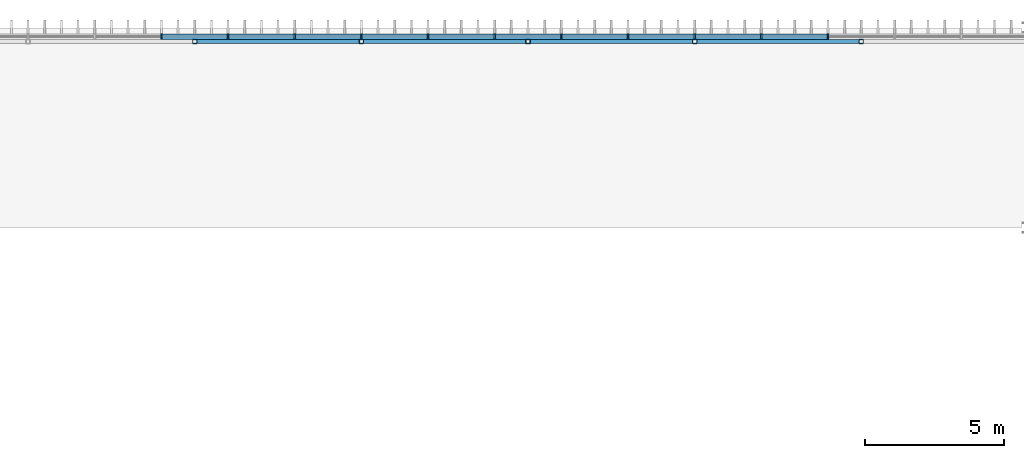
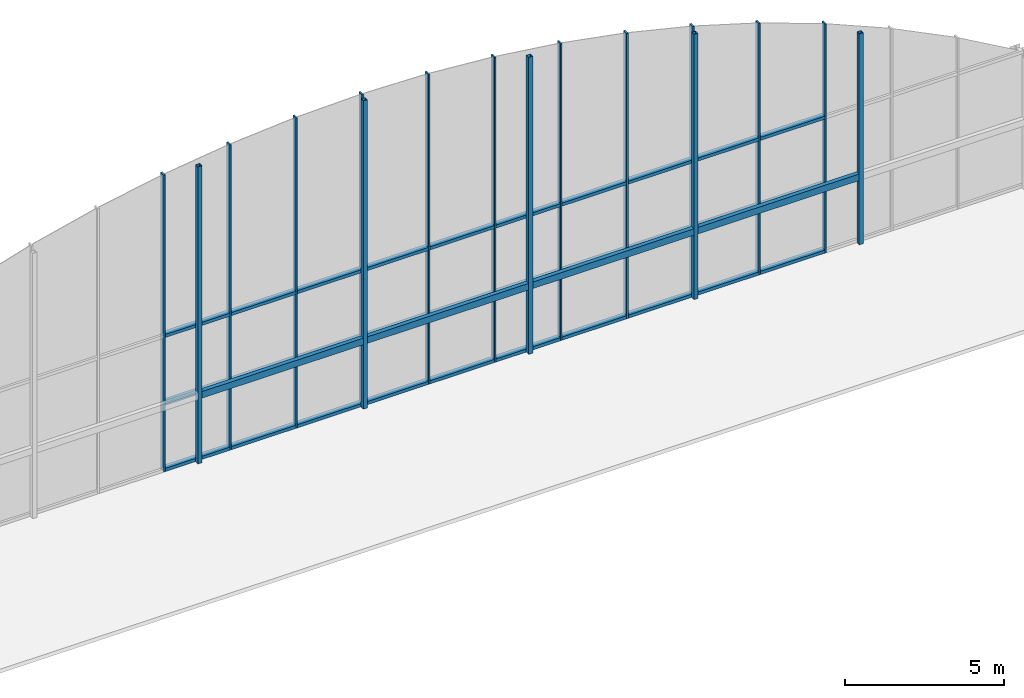
# One storey, part 37 of 93: 46 members, 4 beams, 1 element without a shape of its own.
"""IFC4 building model written with IfcOpenShell, lengths in metres."""

from ifc_helpers import new_model, si_unit, direction, frame, origin, origin_2d, place, context, subcontext, project, spatial, rectangle, hollow_rectangle, extrude, material, layer, layer_set, material_profile, profile_set, type_object, element, aggregate, save


model = new_model("IFC4")

# Units and contexts
model_context = context("Model", 3, precision=1e-05, world=origin(), true_north=direction((0.0, 1.0)))
body_context = subcontext(model_context, "Body", "Model", "MODEL_VIEW")
ifc_project = project(units=[si_unit("LENGTHUNIT", "METRE"), si_unit("AREAUNIT", "SQUARE_METRE"), si_unit("VOLUMEUNIT", "CUBIC_METRE"), si_unit("PLANEANGLEUNIT", "RADIAN"), si_unit("MASSUNIT", "GRAM", prefix="KILO")], contexts=[model_context])

# Site, building, storey
site_placement = place(None, origin())
site = spatial("IfcSite", under=ifc_project, at=site_placement, CompositionType="ELEMENT")
building_placement = place(site_placement, origin())
building = spatial("IfcBuilding", under=site, at=building_placement, Name="Verrick Yard Athletic Hall", CompositionType="ELEMENT")
storey_placement = place(building_placement, frame((0.0, 0.0, 8.800048828125)))
storey = spatial("IfcBuildingStorey", under=building, at=storey_placement, Name="L02", CompositionType="ELEMENT", Elevation=8.800048828125)

# Curtain wall, members
ifc_material_1 = material(Name="Anodised aluminium", Category="aluminium")
ifc_layer = layer(ifc_material_1, 0.199951171875)
ifc_layer_set = layer_set([ifc_layer], Name="Gable glazing")
curtain_wall_type = type_object("IfcCurtainWallType", Name="Gable glazing", PredefinedType="NOTDEFINED", material=ifc_layer_set)
curtain_wall_placement = place(storey_placement, origin())
curtain_wall = element("IfcCurtainWall", 1, at=curtain_wall_placement, inside=storey, type_object=curtain_wall_type, Name="Gable curtain wall AN", PredefinedType="NOTDEFINED")
ifc_material_profile_1 = material_profile(ifc_material_1, rectangle(XDim=0.199951171875, YDim=0.06005859375, at=origin_2d()), Name="CW gable mullion 60x200")
ifc_profile_set_1 = profile_set([ifc_material_profile_1], Name="Anodised aluminium")
member_type_1 = type_object("IfcMemberType", Name="Gable glazing mullion 60x200", PredefinedType="MULLION", material=ifc_profile_set_1)
member_1_placement = place(storey_placement, frame((138.39990234375, 107.681640625, 0.0), z_axis=(0.0, 0.0, 1.0), x_axis=(0.0, 1.0, 0.0)))
member_1 = element("IfcMember", 2, at=member_1_placement, type_object=member_type_1, Name="ENVB-HAN-CW/M07", PredefinedType="MULLION", context=body_context, shape_type="SweptSolid", body=[
    extrude(rectangle(XDim=0.199951171875, YDim=0.06005859375, at=origin_2d()), origin(), (0.0, 0.0, 1.0), 11.39013671875),
])
member_2_placement = place(storey_placement, frame((140.800048828125, 107.681640625, 0.0), z_axis=(0.0, 0.0, 1.0), x_axis=(0.0, 1.0, 0.0)))
member_2 = element("IfcMember", 3, at=member_2_placement, type_object=member_type_1, Name="ENVB-HAN-CW/M08", PredefinedType="MULLION", context=body_context, shape_type="SweptSolid", body=[
    extrude(rectangle(XDim=0.199951171875, YDim=0.06005859375, at=origin_2d()), origin(), (0.0, 0.0, 1.0), 11.7060546875),
])
member_3_placement = place(storey_placement, frame((143.199951171875, 107.681640625, 0.0), z_axis=(0.0, 0.0, 1.0), x_axis=(0.0, 1.0, 0.0)))
member_3 = element("IfcMember", 4, at=member_3_placement, type_object=member_type_1, Name="ENVB-HAN-CW/M09", PredefinedType="MULLION", context=body_context, shape_type="SweptSolid", body=[
    extrude(rectangle(XDim=0.199951171875, YDim=0.06005859375, at=origin_2d()), origin(), (0.0, 0.0, 1.0), 11.89453125),
])
member_4_placement = place(storey_placement, frame((145.60009765625, 107.681640625, 0.0), z_axis=(0.0, 0.0, 1.0), x_axis=(0.0, 1.0, 0.0)))
member_4 = element("IfcMember", 5, at=member_4_placement, type_object=member_type_1, Name="ENVB-HAN-CW/M10", PredefinedType="MULLION", context=body_context, shape_type="SweptSolid", body=[
    extrude(rectangle(XDim=0.199951171875, YDim=0.06005859375, at=origin_2d()), origin(), (0.0, 0.0, 1.0), 11.95703125),
])
member_5_placement = place(storey_placement, frame((148.0, 107.681640625, 0.0), z_axis=(0.0, 0.0, 1.0), x_axis=(0.0, 1.0, 0.0)))
member_5 = element("IfcMember", 6, at=member_5_placement, type_object=member_type_1, Name="ENVB-HAN-CW/M11", PredefinedType="MULLION", context=body_context, shape_type="SweptSolid", body=[
    extrude(rectangle(XDim=0.199951171875, YDim=0.06005859375, at=origin_2d()), origin(), (0.0, 0.0, 1.0), 11.89453125),
])
member_6_placement = place(storey_placement, frame((150.39990234375, 107.681640625, 0.0), z_axis=(0.0, 0.0, 1.0), x_axis=(0.0, 1.0, 0.0)))
member_6 = element("IfcMember", 7, at=member_6_placement, type_object=member_type_1, Name="ENVB-HAN-CW/M12", PredefinedType="MULLION", context=body_context, shape_type="SweptSolid", body=[
    extrude(rectangle(XDim=0.199951171875, YDim=0.06005859375, at=origin_2d()), origin(), (0.0, 0.0, 1.0), 11.7060546875),
])
member_7_placement = place(storey_placement, frame((152.800048828125, 107.681640625, 0.0), z_axis=(0.0, 0.0, 1.0), x_axis=(0.0, 1.0, 0.0)))
member_7 = element("IfcMember", 8, at=member_7_placement, type_object=member_type_1, Name="ENVB-HAN-CW/M13", PredefinedType="MULLION", context=body_context, shape_type="SweptSolid", body=[
    extrude(rectangle(XDim=0.199951171875, YDim=0.06005859375, at=origin_2d()), origin(), (0.0, 0.0, 1.0), 11.39013671875),
])
member_8_placement = place(storey_placement, frame((155.199951171875, 107.681640625, 0.0), z_axis=(0.0, 0.0, 1.0), x_axis=(0.0, 1.0, 0.0)))
member_8 = element("IfcMember", 9, at=member_8_placement, type_object=member_type_1, Name="ENVB-HAN-CW/M14", PredefinedType="MULLION", context=body_context, shape_type="SweptSolid", body=[
    extrude(rectangle(XDim=0.199951171875, YDim=0.06005859375, at=origin_2d()), origin(), (0.0, 0.0, 1.0), 10.9443359375),
])
member_9_placement = place(storey_placement, frame((157.60009765625, 107.681640625, 0.0), z_axis=(0.0, 0.0, 1.0), x_axis=(0.0, 1.0, 0.0)))
member_9 = element("IfcMember", 10, at=member_9_placement, type_object=member_type_1, Name="ENVB-HAN-CW/M15", PredefinedType="MULLION", context=body_context, shape_type="SweptSolid", body=[
    extrude(rectangle(XDim=0.199951171875, YDim=0.06005859375, at=origin_2d()), origin(), (0.0, 0.0, 1.0), 10.3642578125),
])
member_10_placement = place(storey_placement, frame((160.0, 107.681640625, 0.0), z_axis=(0.0, 0.0, 1.0), x_axis=(0.0, 1.0, 0.0)))
member_10 = element("IfcMember", 11, at=member_10_placement, type_object=member_type_1, Name="ENVB-HAN-CW/M16", PredefinedType="MULLION", context=body_context, shape_type="SweptSolid", body=[
    extrude(rectangle(XDim=0.199951171875, YDim=0.06005859375, at=origin_2d()), origin(), (0.0, 0.0, 1.0), 9.64501953125),
])
member_11_placement = place(storey_placement, frame((162.39990234375, 107.681640625, 0.0), z_axis=(0.0, 0.0, 1.0), x_axis=(0.0, 1.0, 0.0)))
member_11 = element("IfcMember", 12, at=member_11_placement, type_object=member_type_1, Name="ENVB-HAN-CW/M17", PredefinedType="MULLION", context=body_context, shape_type="SweptSolid", body=[
    extrude(rectangle(XDim=0.199951171875, YDim=0.06005859375, at=origin_2d()), origin(), (0.0, 0.0, 1.0), 8.779541015625),
])
ifc_material_profile_2 = material_profile(ifc_material_1, rectangle(XDim=0.199951171875, YDim=0.1201171875, at=origin_2d()), Name="CW gable transom 200x120")
ifc_profile_set_2 = profile_set([ifc_material_profile_2], Name="Anodised aluminium")
member_type_2 = type_object("IfcMemberType", Name="Gable glazing transom 200x120", PredefinedType="USERDEFINED", material=ifc_profile_set_2)
member_12_placement = place(storey_placement, frame((138.429931640625, 107.681640625, 0.06005859375), z_axis=(1.0, 0.0, 0.0), x_axis=(0.0, 1.0, 0.0)))
member_12 = element("IfcMember", 13, at=member_12_placement, type_object=member_type_2, Name="ENVB-HAN-CW/T07-00", ObjectType="TRANSOM", PredefinedType="USERDEFINED", context=body_context, shape_type="SweptSolid", body=[
    extrude(rectangle(XDim=0.199951171875, YDim=0.1201171875, at=origin_2d()), origin(), (0.0, 0.0, 1.0), 2.340087890625),
])
member_13_placement = place(storey_placement, frame((138.429931640625, 107.681640625, 2.599853515625), z_axis=(1.0, 0.0, 0.0), x_axis=(0.0, 1.0, 0.0)))
member_13 = element("IfcMember", 14, at=member_13_placement, type_object=member_type_2, Name="ENVB-HAN-CW/T07-01", ObjectType="TRANSOM", PredefinedType="USERDEFINED", context=body_context, shape_type="SweptSolid", body=[
    extrude(rectangle(XDim=0.199951171875, YDim=0.1201171875, at=origin_2d()), origin(), (0.0, 0.0, 1.0), 2.340087890625),
])
member_14_placement = place(storey_placement, frame((138.429931640625, 107.681640625, 5.199951171875), z_axis=(1.0, 0.0, 0.0), x_axis=(0.0, 1.0, 0.0)))
member_14 = element("IfcMember", 15, at=member_14_placement, type_object=member_type_2, Name="ENVB-HAN-CW/T07-02", ObjectType="TRANSOM", PredefinedType="USERDEFINED", context=body_context, shape_type="SweptSolid", body=[
    extrude(rectangle(XDim=0.199951171875, YDim=0.1201171875, at=origin_2d()), origin(), (0.0, 0.0, 1.0), 2.340087890625),
])
member_15_placement = place(storey_placement, frame((140.830078125, 107.681640625, 0.06005859375), z_axis=(1.0, 0.0, 0.0), x_axis=(0.0, 1.0, 0.0)))
member_15 = element("IfcMember", 16, at=member_15_placement, type_object=member_type_2, Name="ENVB-HAN-CW/T08-00", ObjectType="TRANSOM", PredefinedType="USERDEFINED", context=body_context, shape_type="SweptSolid", body=[
    extrude(rectangle(XDim=0.199951171875, YDim=0.1201171875, at=origin_2d()), origin(), (0.0, 0.0, 1.0), 2.33984375),
])
member_16_placement = place(storey_placement, frame((140.830078125, 107.681640625, 2.599853515625), z_axis=(1.0, 0.0, 0.0), x_axis=(0.0, 1.0, 0.0)))
member_16 = element("IfcMember", 17, at=member_16_placement, type_object=member_type_2, Name="ENVB-HAN-CW/T08-01", ObjectType="TRANSOM", PredefinedType="USERDEFINED", context=body_context, shape_type="SweptSolid", body=[
    extrude(rectangle(XDim=0.199951171875, YDim=0.1201171875, at=origin_2d()), origin(), (0.0, 0.0, 1.0), 2.33984375),
])
member_17_placement = place(storey_placement, frame((140.830078125, 107.681640625, 5.199951171875), z_axis=(1.0, 0.0, 0.0), x_axis=(0.0, 1.0, 0.0)))
member_17 = element("IfcMember", 18, at=member_17_placement, type_object=member_type_2, Name="ENVB-HAN-CW/T08-02", ObjectType="TRANSOM", PredefinedType="USERDEFINED", context=body_context, shape_type="SweptSolid", body=[
    extrude(rectangle(XDim=0.199951171875, YDim=0.1201171875, at=origin_2d()), origin(), (0.0, 0.0, 1.0), 2.33984375),
])
member_18_placement = place(storey_placement, frame((143.22998046875, 107.681640625, 0.06005859375), z_axis=(1.0, 0.0, 0.0), x_axis=(0.0, 1.0, 0.0)))
member_18 = element("IfcMember", 19, at=member_18_placement, type_object=member_type_2, Name="ENVB-HAN-CW/T09-00", ObjectType="TRANSOM", PredefinedType="USERDEFINED", context=body_context, shape_type="SweptSolid", body=[
    extrude(rectangle(XDim=0.199951171875, YDim=0.1201171875, at=origin_2d()), origin(), (0.0, 0.0, 1.0), 2.340087890625),
])
member_19_placement = place(storey_placement, frame((143.22998046875, 107.681640625, 2.599853515625), z_axis=(1.0, 0.0, 0.0), x_axis=(0.0, 1.0, 0.0)))
member_19 = element("IfcMember", 20, at=member_19_placement, type_object=member_type_2, Name="ENVB-HAN-CW/T09-01", ObjectType="TRANSOM", PredefinedType="USERDEFINED", context=body_context, shape_type="SweptSolid", body=[
    extrude(rectangle(XDim=0.199951171875, YDim=0.1201171875, at=origin_2d()), origin(), (0.0, 0.0, 1.0), 2.340087890625),
])
member_20_placement = place(storey_placement, frame((143.22998046875, 107.681640625, 5.199951171875), z_axis=(1.0, 0.0, 0.0), x_axis=(0.0, 1.0, 0.0)))
member_20 = element("IfcMember", 21, at=member_20_placement, type_object=member_type_2, Name="ENVB-HAN-CW/T09-02", ObjectType="TRANSOM", PredefinedType="USERDEFINED", context=body_context, shape_type="SweptSolid", body=[
    extrude(rectangle(XDim=0.199951171875, YDim=0.1201171875, at=origin_2d()), origin(), (0.0, 0.0, 1.0), 2.340087890625),
])
member_21_placement = place(storey_placement, frame((145.6298828125, 107.681640625, 0.06005859375), z_axis=(1.0, 0.0, 0.0), x_axis=(0.0, 1.0, 0.0)))
member_21 = element("IfcMember", 22, at=member_21_placement, type_object=member_type_2, Name="ENVB-HAN-CW/T10-00", ObjectType="TRANSOM", PredefinedType="USERDEFINED", context=body_context, shape_type="SweptSolid", body=[
    extrude(rectangle(XDim=0.199951171875, YDim=0.1201171875, at=origin_2d()), origin(), (0.0, 0.0, 1.0), 2.340087890625),
])
member_22_placement = place(storey_placement, frame((145.6298828125, 107.681640625, 2.599853515625), z_axis=(1.0, 0.0, 0.0), x_axis=(0.0, 1.0, 0.0)))
member_22 = element("IfcMember", 23, at=member_22_placement, type_object=member_type_2, Name="ENVB-HAN-CW/T10-01", ObjectType="TRANSOM", PredefinedType="USERDEFINED", context=body_context, shape_type="SweptSolid", body=[
    extrude(rectangle(XDim=0.199951171875, YDim=0.1201171875, at=origin_2d()), origin(), (0.0, 0.0, 1.0), 2.340087890625),
])
member_23_placement = place(storey_placement, frame((145.6298828125, 107.681640625, 5.199951171875), z_axis=(1.0, 0.0, 0.0), x_axis=(0.0, 1.0, 0.0)))
member_23 = element("IfcMember", 24, at=member_23_placement, type_object=member_type_2, Name="ENVB-HAN-CW/T10-02", ObjectType="TRANSOM", PredefinedType="USERDEFINED", context=body_context, shape_type="SweptSolid", body=[
    extrude(rectangle(XDim=0.199951171875, YDim=0.1201171875, at=origin_2d()), origin(), (0.0, 0.0, 1.0), 2.340087890625),
])
member_24_placement = place(storey_placement, frame((148.030029296875, 107.681640625, 0.06005859375), z_axis=(1.0, 0.0, 0.0), x_axis=(0.0, 1.0, 0.0)))
member_24 = element("IfcMember", 25, at=member_24_placement, type_object=member_type_2, Name="ENVB-HAN-CW/T11-00", ObjectType="TRANSOM", PredefinedType="USERDEFINED", context=body_context, shape_type="SweptSolid", body=[
    extrude(rectangle(XDim=0.199951171875, YDim=0.1201171875, at=origin_2d()), origin(), (0.0, 0.0, 1.0), 2.340087890625),
])
member_25_placement = place(storey_placement, frame((148.030029296875, 107.681640625, 2.599853515625), z_axis=(1.0, 0.0, 0.0), x_axis=(0.0, 1.0, 0.0)))
member_25 = element("IfcMember", 26, at=member_25_placement, type_object=member_type_2, Name="ENVB-HAN-CW/T11-01", ObjectType="TRANSOM", PredefinedType="USERDEFINED", context=body_context, shape_type="SweptSolid", body=[
    extrude(rectangle(XDim=0.199951171875, YDim=0.1201171875, at=origin_2d()), origin(), (0.0, 0.0, 1.0), 2.340087890625),
])
member_26_placement = place(storey_placement, frame((148.030029296875, 107.681640625, 5.199951171875), z_axis=(1.0, 0.0, 0.0), x_axis=(0.0, 1.0, 0.0)))
member_26 = element("IfcMember", 27, at=member_26_placement, type_object=member_type_2, Name="ENVB-HAN-CW/T11-02", ObjectType="TRANSOM", PredefinedType="USERDEFINED", context=body_context, shape_type="SweptSolid", body=[
    extrude(rectangle(XDim=0.199951171875, YDim=0.1201171875, at=origin_2d()), origin(), (0.0, 0.0, 1.0), 2.340087890625),
])
member_27_placement = place(storey_placement, frame((150.429931640625, 107.681640625, 0.06005859375), z_axis=(1.0, 0.0, 0.0), x_axis=(0.0, 1.0, 0.0)))
member_27 = element("IfcMember", 28, at=member_27_placement, type_object=member_type_2, Name="ENVB-HAN-CW/T12-00", ObjectType="TRANSOM", PredefinedType="USERDEFINED", context=body_context, shape_type="SweptSolid", body=[
    extrude(rectangle(XDim=0.199951171875, YDim=0.1201171875, at=origin_2d()), origin(), (0.0, 0.0, 1.0), 2.340087890625),
])
member_28_placement = place(storey_placement, frame((150.429931640625, 107.681640625, 2.599853515625), z_axis=(1.0, 0.0, 0.0), x_axis=(0.0, 1.0, 0.0)))
member_28 = element("IfcMember", 29, at=member_28_placement, type_object=member_type_2, Name="ENVB-HAN-CW/T12-01", ObjectType="TRANSOM", PredefinedType="USERDEFINED", context=body_context, shape_type="SweptSolid", body=[
    extrude(rectangle(XDim=0.199951171875, YDim=0.1201171875, at=origin_2d()), origin(), (0.0, 0.0, 1.0), 2.340087890625),
])
member_29_placement = place(storey_placement, frame((150.429931640625, 107.681640625, 5.199951171875), z_axis=(1.0, 0.0, 0.0), x_axis=(0.0, 1.0, 0.0)))
member_29 = element("IfcMember", 30, at=member_29_placement, type_object=member_type_2, Name="ENVB-HAN-CW/T12-02", ObjectType="TRANSOM", PredefinedType="USERDEFINED", context=body_context, shape_type="SweptSolid", body=[
    extrude(rectangle(XDim=0.199951171875, YDim=0.1201171875, at=origin_2d()), origin(), (0.0, 0.0, 1.0), 2.340087890625),
])
member_30_placement = place(storey_placement, frame((152.830078125, 107.681640625, 0.06005859375), z_axis=(1.0, 0.0, 0.0), x_axis=(0.0, 1.0, 0.0)))
member_30 = element("IfcMember", 31, at=member_30_placement, type_object=member_type_2, Name="ENVB-HAN-CW/T13-00", ObjectType="TRANSOM", PredefinedType="USERDEFINED", context=body_context, shape_type="SweptSolid", body=[
    extrude(rectangle(XDim=0.199951171875, YDim=0.1201171875, at=origin_2d()), origin(), (0.0, 0.0, 1.0), 2.33984375),
])
member_31_placement = place(storey_placement, frame((152.830078125, 107.681640625, 2.599853515625), z_axis=(1.0, 0.0, 0.0), x_axis=(0.0, 1.0, 0.0)))
member_31 = element("IfcMember", 32, at=member_31_placement, type_object=member_type_2, Name="ENVB-HAN-CW/T13-01", ObjectType="TRANSOM", PredefinedType="USERDEFINED", context=body_context, shape_type="SweptSolid", body=[
    extrude(rectangle(XDim=0.199951171875, YDim=0.1201171875, at=origin_2d()), origin(), (0.0, 0.0, 1.0), 2.33984375),
])
member_32_placement = place(storey_placement, frame((152.830078125, 107.681640625, 5.199951171875), z_axis=(1.0, 0.0, 0.0), x_axis=(0.0, 1.0, 0.0)))
member_32 = element("IfcMember", 33, at=member_32_placement, type_object=member_type_2, Name="ENVB-HAN-CW/T13-02", ObjectType="TRANSOM", PredefinedType="USERDEFINED", context=body_context, shape_type="SweptSolid", body=[
    extrude(rectangle(XDim=0.199951171875, YDim=0.1201171875, at=origin_2d()), origin(), (0.0, 0.0, 1.0), 2.33984375),
])
member_33_placement = place(storey_placement, frame((155.22998046875, 107.681640625, 0.06005859375), z_axis=(1.0, 0.0, 0.0), x_axis=(0.0, 1.0, 0.0)))
member_33 = element("IfcMember", 34, at=member_33_placement, type_object=member_type_2, Name="ENVB-HAN-CW/T14-00", ObjectType="TRANSOM", PredefinedType="USERDEFINED", context=body_context, shape_type="SweptSolid", body=[
    extrude(rectangle(XDim=0.199951171875, YDim=0.1201171875, at=origin_2d()), origin(), (0.0, 0.0, 1.0), 2.340087890625),
])
member_34_placement = place(storey_placement, frame((155.22998046875, 107.681640625, 2.599853515625), z_axis=(1.0, 0.0, 0.0), x_axis=(0.0, 1.0, 0.0)))
member_34 = element("IfcMember", 35, at=member_34_placement, type_object=member_type_2, Name="ENVB-HAN-CW/T14-01", ObjectType="TRANSOM", PredefinedType="USERDEFINED", context=body_context, shape_type="SweptSolid", body=[
    extrude(rectangle(XDim=0.199951171875, YDim=0.1201171875, at=origin_2d()), origin(), (0.0, 0.0, 1.0), 2.340087890625),
])
member_35_placement = place(storey_placement, frame((155.22998046875, 107.681640625, 5.199951171875), z_axis=(1.0, 0.0, 0.0), x_axis=(0.0, 1.0, 0.0)))
member_35 = element("IfcMember", 36, at=member_35_placement, type_object=member_type_2, Name="ENVB-HAN-CW/T14-02", ObjectType="TRANSOM", PredefinedType="USERDEFINED", context=body_context, shape_type="SweptSolid", body=[
    extrude(rectangle(XDim=0.199951171875, YDim=0.1201171875, at=origin_2d()), origin(), (0.0, 0.0, 1.0), 2.340087890625),
])
member_36_placement = place(storey_placement, frame((157.6298828125, 107.681640625, 0.06005859375), z_axis=(1.0, 0.0, 0.0), x_axis=(0.0, 1.0, 0.0)))
member_36 = element("IfcMember", 37, at=member_36_placement, type_object=member_type_2, Name="ENVB-HAN-CW/T15-00", ObjectType="TRANSOM", PredefinedType="USERDEFINED", context=body_context, shape_type="SweptSolid", body=[
    extrude(rectangle(XDim=0.199951171875, YDim=0.1201171875, at=origin_2d()), origin(), (0.0, 0.0, 1.0), 2.340087890625),
])
member_37_placement = place(storey_placement, frame((157.6298828125, 107.681640625, 2.599853515625), z_axis=(1.0, 0.0, 0.0), x_axis=(0.0, 1.0, 0.0)))
member_37 = element("IfcMember", 38, at=member_37_placement, type_object=member_type_2, Name="ENVB-HAN-CW/T15-01", ObjectType="TRANSOM", PredefinedType="USERDEFINED", context=body_context, shape_type="SweptSolid", body=[
    extrude(rectangle(XDim=0.199951171875, YDim=0.1201171875, at=origin_2d()), origin(), (0.0, 0.0, 1.0), 2.340087890625),
])
member_38_placement = place(storey_placement, frame((157.6298828125, 107.681640625, 5.199951171875), z_axis=(1.0, 0.0, 0.0), x_axis=(0.0, 1.0, 0.0)))
member_38 = element("IfcMember", 39, at=member_38_placement, type_object=member_type_2, Name="ENVB-HAN-CW/T15-02", ObjectType="TRANSOM", PredefinedType="USERDEFINED", context=body_context, shape_type="SweptSolid", body=[
    extrude(rectangle(XDim=0.199951171875, YDim=0.1201171875, at=origin_2d()), origin(), (0.0, 0.0, 1.0), 2.340087890625),
])
member_39_placement = place(storey_placement, frame((160.030029296875, 107.681640625, 0.06005859375), z_axis=(1.0, 0.0, 0.0), x_axis=(0.0, 1.0, 0.0)))
member_39 = element("IfcMember", 40, at=member_39_placement, type_object=member_type_2, Name="ENVB-HAN-CW/T16-00", ObjectType="TRANSOM", PredefinedType="USERDEFINED", context=body_context, shape_type="SweptSolid", body=[
    extrude(rectangle(XDim=0.199951171875, YDim=0.1201171875, at=origin_2d()), origin(), (0.0, 0.0, 1.0), 2.340087890625),
])
member_40_placement = place(storey_placement, frame((160.030029296875, 107.681640625, 2.599853515625), z_axis=(1.0, 0.0, 0.0), x_axis=(0.0, 1.0, 0.0)))
member_40 = element("IfcMember", 41, at=member_40_placement, type_object=member_type_2, Name="ENVB-HAN-CW/T16-01", ObjectType="TRANSOM", PredefinedType="USERDEFINED", context=body_context, shape_type="SweptSolid", body=[
    extrude(rectangle(XDim=0.199951171875, YDim=0.1201171875, at=origin_2d()), origin(), (0.0, 0.0, 1.0), 2.340087890625),
])
member_41_placement = place(storey_placement, frame((160.030029296875, 107.681640625, 5.199951171875), z_axis=(1.0, 0.0, 0.0), x_axis=(0.0, 1.0, 0.0)))
member_41 = element("IfcMember", 42, at=member_41_placement, type_object=member_type_2, Name="ENVB-HAN-CW/T16-02", ObjectType="TRANSOM", PredefinedType="USERDEFINED", context=body_context, shape_type="SweptSolid", body=[
    extrude(rectangle(XDim=0.199951171875, YDim=0.1201171875, at=origin_2d()), origin(), (0.0, 0.0, 1.0), 2.340087890625),
])
aggregate(curtain_wall, [member_1, member_2, member_3, member_4, member_5, member_6, member_7, member_8, member_9, member_10, member_11, member_12, member_13, member_14, member_15, member_16, member_17, member_18, member_19, member_20, member_21, member_22, member_23, member_24, member_25, member_26, member_27, member_28, member_29, member_30, member_31, member_32, member_33, member_34, member_35, member_36, member_37, member_38, member_39, member_40, member_41])

# Members
ifc_material_2 = material(Name="Structural steel HSS Class C 350W (CSA G40.20/G40.21)", Category="steel")
ifc_material_profile_3 = material_profile(ifc_material_2, hollow_rectangle(XDim=0.15234375, YDim=0.15234375, WallThickness=0.009521484375, at=origin_2d()), Name="HSS152x152x9.5")
ifc_profile_set_3 = profile_set([ifc_material_profile_3], Name="Structural steel HSS Class C 350W (CSA G40.20/G40.21)")
member_type_3 = type_object("IfcMemberType", Name="HB gable post HSS152x152x9.5", PredefinedType="POST", material=ifc_profile_set_3)
member_42_placement = place(storey_placement, frame((139.60009765625, 107.50537109375, 0.0), z_axis=(0.0, 0.0, 1.0), x_axis=(1.0, 0.0, 0.0)))
element("IfcMember", 43, at=member_42_placement, inside=storey, type_object=member_type_3, Name="HB-GP-AN-3", PredefinedType="POST", context=body_context, shape_type="SweptSolid", body=[
    extrude(hollow_rectangle(XDim=0.15234375, YDim=0.15234375, WallThickness=0.009521484375, at=origin_2d()), origin(), (0.0, 0.0, 1.0), 11.395751953125),
])
member_43_placement = place(storey_placement, frame((145.60009765625, 107.50537109375, 0.0), z_axis=(0.0, 0.0, 1.0), x_axis=(1.0, 0.0, 0.0)))
element("IfcMember", 44, at=member_43_placement, inside=storey, type_object=member_type_3, Name="HB-GP-AN-4", PredefinedType="POST", context=body_context, shape_type="SweptSolid", body=[
    extrude(hollow_rectangle(XDim=0.15234375, YDim=0.15234375, WallThickness=0.009521484375, at=origin_2d()), origin(), (0.0, 0.0, 1.0), 11.8271484375),
])
member_44_placement = place(storey_placement, frame((151.60009765625, 107.50537109375, 0.0), z_axis=(0.0, 0.0, 1.0), x_axis=(1.0, 0.0, 0.0)))
element("IfcMember", 45, at=member_44_placement, inside=storey, type_object=member_type_3, Name="HB-GP-AN-5", PredefinedType="POST", context=body_context, shape_type="SweptSolid", body=[
    extrude(hollow_rectangle(XDim=0.15234375, YDim=0.15234375, WallThickness=0.009521484375, at=origin_2d()), origin(), (0.0, 0.0, 1.0), 11.395751953125),
])
member_45_placement = place(storey_placement, frame((157.60009765625, 107.50537109375, 0.0), z_axis=(0.0, 0.0, 1.0), x_axis=(1.0, 0.0, 0.0)))
element("IfcMember", 46, at=member_45_placement, inside=storey, type_object=member_type_3, Name="HB-GP-AN-6", PredefinedType="POST", context=body_context, shape_type="SweptSolid", body=[
    extrude(hollow_rectangle(XDim=0.15234375, YDim=0.15234375, WallThickness=0.009521484375, at=origin_2d()), origin(), (0.0, 0.0, 1.0), 10.1767578125),
])
member_46_placement = place(storey_placement, frame((163.60009765625, 107.50537109375, 0.0), z_axis=(0.0, 0.0, 1.0), x_axis=(1.0, 0.0, 0.0)))
element("IfcMember", 47, at=member_46_placement, inside=storey, type_object=member_type_3, Name="HB-GP-AN-7", PredefinedType="POST", context=body_context, shape_type="SweptSolid", body=[
    extrude(hollow_rectangle(XDim=0.15234375, YDim=0.15234375, WallThickness=0.009521484375, at=origin_2d()), origin(), (0.0, 0.0, 1.0), 8.096923828125),
])

# Beams
ifc_material_profile_4 = material_profile(ifc_material_2, hollow_rectangle(XDim=0.15234375, YDim=0.25390625, WallThickness=0.009521484375, at=origin_2d()), Name="HSS254x152x9.5")
ifc_profile_set_4 = profile_set([ifc_material_profile_4], Name="Structural steel HSS Class C 350W (CSA G40.20/G40.21)")
beam_type = type_object("IfcBeamType", Name="HB wind girder HSS254x152x9.5", PredefinedType="BEAM", material=ifc_profile_set_4)
for number, where, z_axis, x_axis, name in (
    (48, (139.67626953125, 107.50537109375, 2.599853515625), (1.0, 0.0, 0.0), (0.0, 1.0, 0.0), "HB-WG-AN-114-4"),
    (49, (145.67626953125, 107.50537109375, 2.599853515625), (1.0, 0.0, 0.0), (0.0, 1.0, 0.0), "HB-WG-AN-114-5"),
    (50, (151.67626953125, 107.50537109375, 2.599853515625), (1.0, 0.0, 0.0), (0.0, 1.0, 0.0), "HB-WG-AN-114-6"),
    (51, (157.67626953125, 107.50537109375, 2.599853515625), (1.0, 0.0, 0.0), (0.0, 1.0, 0.0), "HB-WG-AN-114-7"),
):
    element("IfcBeam", number, at=place(storey_placement, frame(where, z_axis=z_axis, x_axis=x_axis)), inside=storey, type_object=beam_type, Name=name, PredefinedType="BEAM", context=body_context, shape_type="SweptSolid", body=[
        extrude(hollow_rectangle(XDim=0.15234375, YDim=0.25390625, WallThickness=0.009521484375, at=origin_2d()), origin(), (0.0, 0.0, 1.0), 5.847412109375),
    ])

save(model, "model.ifc")
